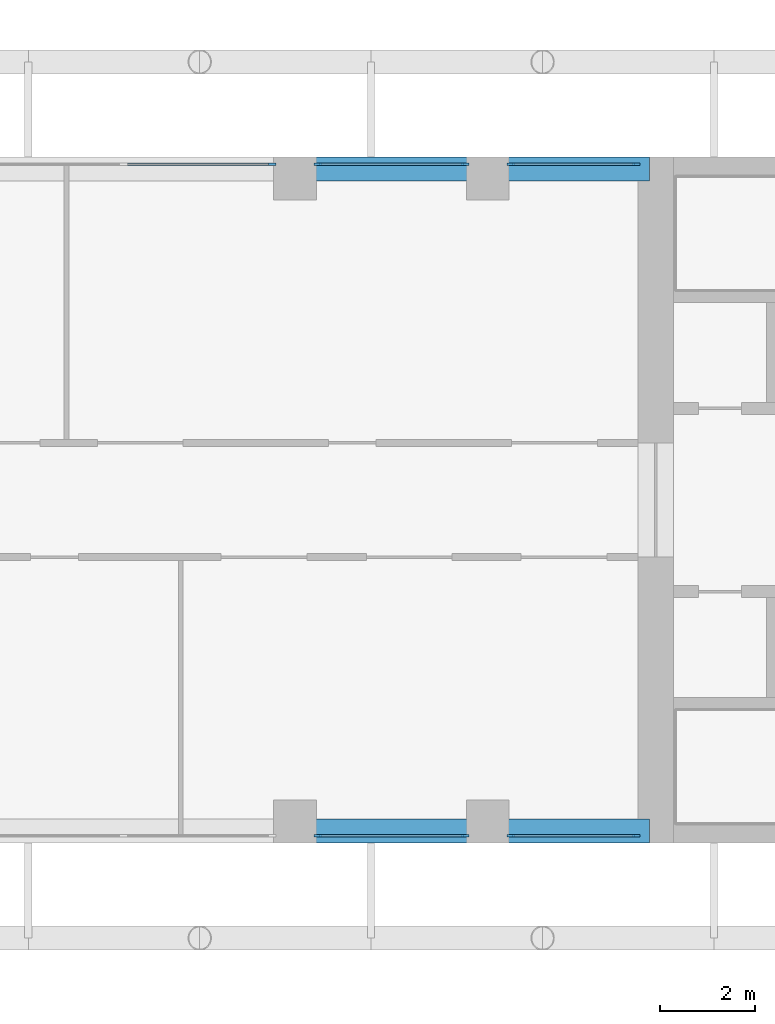
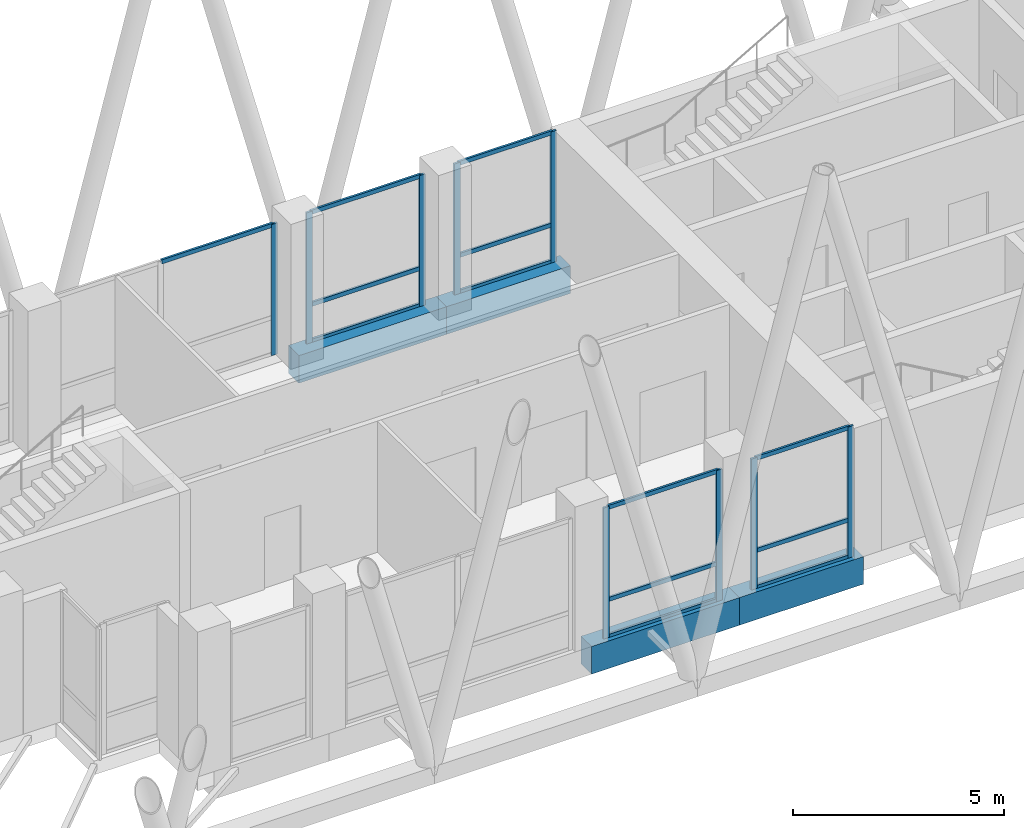
# One storey, part 3 of 19: 22 members, 4 beams, 5 elements without a shape of their own.
"""IFC4 building model written with IfcOpenShell, lengths in metres."""

from ifc_helpers import new_model, si_unit, direction, frame, origin, origin_2d, place, context, subcontext, project, spatial, rectangle, extrude, material, material_profile, profile_set, type_object, element, aggregate, save


model = new_model("IFC4")

# Units and contexts
model_context = context("Model", 3, precision=1e-05, world=origin(), true_north=direction((0.0, 1.0)))
body_context = subcontext(model_context, "Body", "Model", "MODEL_VIEW")
ifc_project = project(units=[si_unit("LENGTHUNIT", "METRE"), si_unit("AREAUNIT", "SQUARE_METRE"), si_unit("VOLUMEUNIT", "CUBIC_METRE"), si_unit("PLANEANGLEUNIT", "RADIAN"), si_unit("MASSUNIT", "GRAM", prefix="KILO")], contexts=[model_context])

# Site, building, storey
site_placement = place(None, origin())
site = spatial("IfcSite", under=ifc_project, at=site_placement, CompositionType="ELEMENT")
building_placement = place(site_placement, origin())
building = spatial("IfcBuilding", under=site, at=building_placement, Name="Fustian Cross Tower", CompositionType="ELEMENT")
storey_placement = place(building_placement, frame((0.0, 0.0, 166.5)))
storey = spatial("IfcBuildingStorey", under=building, at=storey_placement, Name="L52", CompositionType="ELEMENT", Elevation=166.5)

# Curtain wall, members
ifc_material_1 = material(Name="Dark anodised aluminium and double glazing", Category="aluminium")
curtain_wall_type = type_object("IfcCurtainWallType", Name="CW1 LOUNGE CURTAIN WALL", PredefinedType="NOTDEFINED", material=ifc_material_1)
curtain_wall_1_placement = place(storey_placement, origin())
curtain_wall_1 = element("IfcCurtainWall", 1, at=curtain_wall_1_placement, inside=storey, type_object=curtain_wall_type, Name="Curtain wall", PredefinedType="NOTDEFINED")
ifc_material_2 = material(Name="Aluminium alloy 6063", Category="aluminium")
ifc_material_profile_1 = material_profile(ifc_material_2, rectangle(XDim=0.06005859375, YDim=0.159912109375, at=origin_2d()), Name="CW1 MULLION 60X160")
ifc_profile_set_1 = profile_set([ifc_material_profile_1], Name="Aluminium alloy 6063")
member_type_1 = type_object("IfcMemberType", Name="CW1 MULLION 60X160", PredefinedType="MULLION", material=ifc_profile_set_1)
member_1_placement = place(storey_placement, frame((-21.6298828125, 7.050048828125, 0.0), z_axis=(0.0, 0.0, 1.0), x_axis=(0.0, -1.0, 0.0)))
member_1 = element("IfcMember", 2, at=member_1_placement, type_object=member_type_1, Name="CW1 mullion 1", PredefinedType="MULLION", context=body_context, shape_type="SweptSolid", body=[
    extrude(rectangle(XDim=0.06005859375, YDim=0.159912109375, at=origin_2d()), origin(), (0.0, 0.0, 1.0), 3.800048828125),
])
member_2_placement = place(storey_placement, frame((-24.27001953125, 7.050048828125, 0.0), z_axis=(0.0, 0.0, 1.0), x_axis=(0.0, -1.0, 0.0)))
member_2 = element("IfcMember", 3, at=member_2_placement, type_object=member_type_1, Name="CW1 mullion 2", PredefinedType="MULLION", context=body_context, shape_type="SweptSolid", body=[
    extrude(rectangle(XDim=0.06005859375, YDim=0.159912109375, at=origin_2d()), origin(), (0.0, 0.0, 1.0), 3.800048828125),
])

curtain_wall_2_placement = place(storey_placement, origin())
curtain_wall_2 = element("IfcCurtainWall", 4, at=curtain_wall_2_placement, inside=storey, type_object=curtain_wall_type, Name="Curtain wall", PredefinedType="NOTDEFINED")
member_3_placement = place(storey_placement, frame((-25.22998046875, 7.050048828125, 0.0), z_axis=(0.0, 0.0, 1.0), x_axis=(0.0, -1.0, 0.0)))
member_3 = element("IfcMember", 5, at=member_3_placement, type_object=member_type_1, Name="CW1 mullion 1", PredefinedType="MULLION", context=body_context, shape_type="SweptSolid", body=[
    extrude(rectangle(XDim=0.06005859375, YDim=0.159912109375, at=origin_2d()), origin(), (0.0, 0.0, 1.0), 3.800048828125),
])
member_4_placement = place(storey_placement, frame((-28.320068359375, 7.050048828125, 0.0), z_axis=(0.0, 0.0, 1.0), x_axis=(0.0, -1.0, 0.0)))
member_4 = element("IfcMember", 6, at=member_4_placement, type_object=member_type_1, Name="CW1 mullion 2", PredefinedType="MULLION", context=body_context, shape_type="SweptSolid", body=[
    extrude(rectangle(XDim=0.06005859375, YDim=0.159912109375, at=origin_2d()), origin(), (0.0, 0.0, 1.0), 3.800048828125),
])

# Curtain wall, member
curtain_wall_3_placement = place(storey_placement, origin())
curtain_wall_3 = element("IfcCurtainWall", 7, at=curtain_wall_3_placement, inside=storey, type_object=curtain_wall_type, Name="Curtain wall", PredefinedType="NOTDEFINED")
member_5_placement = place(storey_placement, frame((-29.280029296875, 7.050048828125, 0.0), z_axis=(0.0, 0.0, 1.0), x_axis=(0.0, -1.0, 0.0)))
member_5 = element("IfcMember", 8, at=member_5_placement, type_object=member_type_1, Name="CW1 mullion 1", PredefinedType="MULLION", context=body_context, shape_type="SweptSolid", body=[
    extrude(rectangle(XDim=0.06005859375, YDim=0.159912109375, at=origin_2d()), origin(), (0.0, 0.0, 1.0), 3.800048828125),
])

# Curtain wall, members
curtain_wall_4_placement = place(storey_placement, origin())
curtain_wall_4 = element("IfcCurtainWall", 9, at=curtain_wall_4_placement, inside=storey, type_object=curtain_wall_type, Name="Curtain wall", PredefinedType="NOTDEFINED")
member_6_placement = place(storey_placement, frame((-28.320068359375, -7.050048828125, 0.0), z_axis=(0.0, 0.0, 1.0), x_axis=(0.0, 1.0, 0.0)))
member_6 = element("IfcMember", 10, at=member_6_placement, type_object=member_type_1, Name="CW1 mullion 1", PredefinedType="MULLION", context=body_context, shape_type="SweptSolid", body=[
    extrude(rectangle(XDim=0.06005859375, YDim=0.159912109375, at=origin_2d()), origin(), (0.0, 0.0, 1.0), 3.800048828125),
])
member_7_placement = place(storey_placement, frame((-25.22998046875, -7.050048828125, 0.0), z_axis=(0.0, 0.0, 1.0), x_axis=(0.0, 1.0, 0.0)))
member_7 = element("IfcMember", 11, at=member_7_placement, type_object=member_type_1, Name="CW1 mullion 2", PredefinedType="MULLION", context=body_context, shape_type="SweptSolid", body=[
    extrude(rectangle(XDim=0.06005859375, YDim=0.159912109375, at=origin_2d()), origin(), (0.0, 0.0, 1.0), 3.800048828125),
])

curtain_wall_5_placement = place(storey_placement, origin())
curtain_wall_5 = element("IfcCurtainWall", 12, at=curtain_wall_5_placement, inside=storey, type_object=curtain_wall_type, Name="Curtain wall", PredefinedType="NOTDEFINED")
member_8_placement = place(storey_placement, frame((-24.27001953125, -7.050048828125, 0.0), z_axis=(0.0, 0.0, 1.0), x_axis=(0.0, 1.0, 0.0)))
member_8 = element("IfcMember", 13, at=member_8_placement, type_object=member_type_1, Name="CW1 mullion 1", PredefinedType="MULLION", context=body_context, shape_type="SweptSolid", body=[
    extrude(rectangle(XDim=0.06005859375, YDim=0.159912109375, at=origin_2d()), origin(), (0.0, 0.0, 1.0), 3.800048828125),
])
member_9_placement = place(storey_placement, frame((-21.6298828125, -7.050048828125, 0.0), z_axis=(0.0, 0.0, 1.0), x_axis=(0.0, 1.0, 0.0)))
member_9 = element("IfcMember", 14, at=member_9_placement, type_object=member_type_1, Name="CW1 mullion 2", PredefinedType="MULLION", context=body_context, shape_type="SweptSolid", body=[
    extrude(rectangle(XDim=0.06005859375, YDim=0.159912109375, at=origin_2d()), origin(), (0.0, 0.0, 1.0), 3.800048828125),
])

# Member
ifc_material_3 = material(Name="Aluminium alloy 6063", Category="aluminium")
ifc_material_profile_2 = material_profile(ifc_material_3, rectangle(XDim=0.06005859375, YDim=0.1201171875, at=origin_2d()), Name="CW1 TRANSOM 60X120")
ifc_profile_set_2 = profile_set([ifc_material_profile_2], Name="Aluminium alloy 6063")
member_type_2 = type_object("IfcMemberType", Name="CW1 TRANSOM 60X120", PredefinedType="USERDEFINED", material=ifc_profile_set_2)
member_10_placement = place(storey_placement, frame((-21.659912109375, 7.050048828125, 0.030029296875), z_axis=(-1.0, 0.0, 0.0), x_axis=(0.0, -1.0, 0.0)))
member_10 = element("IfcMember", 15, at=member_10_placement, type_object=member_type_2, Name="CW1 transom 1.1", ObjectType="TRANSOM", PredefinedType="USERDEFINED", context=body_context, shape_type="SweptSolid", body=[
    extrude(rectangle(XDim=0.06005859375, YDim=0.1201171875, at=origin_2d()), origin(), (0.0, 0.0, 1.0), 2.580078125),
])

member_11_placement = place(storey_placement, frame((-21.659912109375, 7.050048828125, 1.10009765625), z_axis=(-1.0, 0.0, 0.0), x_axis=(0.0, -1.0, 0.0)))
member_11 = element("IfcMember", 16, at=member_11_placement, type_object=member_type_2, Name="CW1 transom 1.2", ObjectType="TRANSOM", PredefinedType="USERDEFINED", context=body_context, shape_type="SweptSolid", body=[
    extrude(rectangle(XDim=0.06005859375, YDim=0.1201171875, at=origin_2d()), origin(), (0.0, 0.0, 1.0), 2.580078125),
])

member_12_placement = place(storey_placement, frame((-21.659912109375, 7.050048828125, 3.77001953125), z_axis=(-1.0, 0.0, 0.0), x_axis=(0.0, -1.0, 0.0)))
member_12 = element("IfcMember", 17, at=member_12_placement, type_object=member_type_2, Name="CW1 transom 1.3", ObjectType="TRANSOM", PredefinedType="USERDEFINED", context=body_context, shape_type="SweptSolid", body=[
    extrude(rectangle(XDim=0.06005859375, YDim=0.1201171875, at=origin_2d()), origin(), (0.0, 0.0, 1.0), 2.580078125),
])

aggregate(curtain_wall_1, [member_1, member_2, member_10, member_11, member_12])

member_13_placement = place(storey_placement, frame((-25.260009765625, 7.050048828125, 0.030029296875), z_axis=(-1.0, 0.0, 0.0), x_axis=(0.0, -1.0, 0.0)))
member_13 = element("IfcMember", 18, at=member_13_placement, type_object=member_type_2, Name="CW1 transom 1.1", ObjectType="TRANSOM", PredefinedType="USERDEFINED", context=body_context, shape_type="SweptSolid", body=[
    extrude(rectangle(XDim=0.06005859375, YDim=0.1201171875, at=origin_2d()), origin(), (0.0, 0.0, 1.0), 3.030029296875),
])

member_14_placement = place(storey_placement, frame((-25.260009765625, 7.050048828125, 1.10009765625), z_axis=(-1.0, 0.0, 0.0), x_axis=(0.0, -1.0, 0.0)))
member_14 = element("IfcMember", 19, at=member_14_placement, type_object=member_type_2, Name="CW1 transom 1.2", ObjectType="TRANSOM", PredefinedType="USERDEFINED", context=body_context, shape_type="SweptSolid", body=[
    extrude(rectangle(XDim=0.06005859375, YDim=0.1201171875, at=origin_2d()), origin(), (0.0, 0.0, 1.0), 3.030029296875),
])

member_15_placement = place(storey_placement, frame((-25.260009765625, 7.050048828125, 3.77001953125), z_axis=(-1.0, 0.0, 0.0), x_axis=(0.0, -1.0, 0.0)))
member_15 = element("IfcMember", 20, at=member_15_placement, type_object=member_type_2, Name="CW1 transom 1.3", ObjectType="TRANSOM", PredefinedType="USERDEFINED", context=body_context, shape_type="SweptSolid", body=[
    extrude(rectangle(XDim=0.06005859375, YDim=0.1201171875, at=origin_2d()), origin(), (0.0, 0.0, 1.0), 3.030029296875),
])

aggregate(curtain_wall_2, [member_3, member_4, member_13, member_14, member_15])

member_16_placement = place(storey_placement, frame((-29.31005859375, 7.050048828125, 3.77001953125), z_axis=(-1.0, 0.0, 0.0), x_axis=(0.0, -1.0, 0.0)))
member_16 = element("IfcMember", 21, at=member_16_placement, type_object=member_type_2, Name="CW1 transom 1.3", ObjectType="TRANSOM", PredefinedType="USERDEFINED", context=body_context, shape_type="SweptSolid", body=[
    extrude(rectangle(XDim=0.06005859375, YDim=0.1201171875, at=origin_2d()), origin(), (0.0, 0.0, 1.0), 3.06005859375),
])

aggregate(curtain_wall_3, [member_5, member_16])

member_17_placement = place(storey_placement, frame((-28.2900390625, -7.050048828125, 0.030029296875), z_axis=(1.0, 0.0, 0.0), x_axis=(0.0, 1.0, 0.0)))
member_17 = element("IfcMember", 22, at=member_17_placement, type_object=member_type_2, Name="CW1 transom 1.1", ObjectType="TRANSOM", PredefinedType="USERDEFINED", context=body_context, shape_type="SweptSolid", body=[
    extrude(rectangle(XDim=0.06005859375, YDim=0.1201171875, at=origin_2d()), origin(), (0.0, 0.0, 1.0), 3.030029296875),
])

member_18_placement = place(storey_placement, frame((-28.2900390625, -7.050048828125, 1.10009765625), z_axis=(1.0, 0.0, 0.0), x_axis=(0.0, 1.0, 0.0)))
member_18 = element("IfcMember", 23, at=member_18_placement, type_object=member_type_2, Name="CW1 transom 1.2", ObjectType="TRANSOM", PredefinedType="USERDEFINED", context=body_context, shape_type="SweptSolid", body=[
    extrude(rectangle(XDim=0.06005859375, YDim=0.1201171875, at=origin_2d()), origin(), (0.0, 0.0, 1.0), 3.030029296875),
])

member_19_placement = place(storey_placement, frame((-28.2900390625, -7.050048828125, 3.77001953125), z_axis=(1.0, 0.0, 0.0), x_axis=(0.0, 1.0, 0.0)))
member_19 = element("IfcMember", 24, at=member_19_placement, type_object=member_type_2, Name="CW1 transom 1.3", ObjectType="TRANSOM", PredefinedType="USERDEFINED", context=body_context, shape_type="SweptSolid", body=[
    extrude(rectangle(XDim=0.06005859375, YDim=0.1201171875, at=origin_2d()), origin(), (0.0, 0.0, 1.0), 3.030029296875),
])

aggregate(curtain_wall_4, [member_6, member_7, member_17, member_18, member_19])

member_20_placement = place(storey_placement, frame((-24.239990234375, -7.050048828125, 0.030029296875), z_axis=(1.0, 0.0, 0.0), x_axis=(0.0, 1.0, 0.0)))
member_20 = element("IfcMember", 25, at=member_20_placement, type_object=member_type_2, Name="CW1 transom 1.1", ObjectType="TRANSOM", PredefinedType="USERDEFINED", context=body_context, shape_type="SweptSolid", body=[
    extrude(rectangle(XDim=0.06005859375, YDim=0.1201171875, at=origin_2d()), origin(), (0.0, 0.0, 1.0), 2.580078125),
])

member_21_placement = place(storey_placement, frame((-24.239990234375, -7.050048828125, 1.10009765625), z_axis=(1.0, 0.0, 0.0), x_axis=(0.0, 1.0, 0.0)))
member_21 = element("IfcMember", 26, at=member_21_placement, type_object=member_type_2, Name="CW1 transom 1.2", ObjectType="TRANSOM", PredefinedType="USERDEFINED", context=body_context, shape_type="SweptSolid", body=[
    extrude(rectangle(XDim=0.06005859375, YDim=0.1201171875, at=origin_2d()), origin(), (0.0, 0.0, 1.0), 2.580078125),
])

member_22_placement = place(storey_placement, frame((-24.239990234375, -7.050048828125, 3.77001953125), z_axis=(1.0, 0.0, 0.0), x_axis=(0.0, 1.0, 0.0)))
member_22 = element("IfcMember", 27, at=member_22_placement, type_object=member_type_2, Name="CW1 transom 1.3", ObjectType="TRANSOM", PredefinedType="USERDEFINED", context=body_context, shape_type="SweptSolid", body=[
    extrude(rectangle(XDim=0.06005859375, YDim=0.1201171875, at=origin_2d()), origin(), (0.0, 0.0, 1.0), 2.580078125),
])

aggregate(curtain_wall_5, [member_8, member_9, member_20, member_21, member_22])

# Beams
ifc_material_4 = material(Name="Concrete C50/60", Category="concrete")
ifc_material_profile_3 = material_profile(ifc_material_4, rectangle(XDim=0.5, YDim=0.800048828125, at=origin_2d()), Name="RC 500x800")
ifc_profile_set_3 = profile_set([ifc_material_profile_3], Name="Concrete C50/60")
beam_type = type_object("IfcBeamType", Name="EDGE BEAM RC 500x800 C50/60", PredefinedType="SPANDREL", material=ifc_profile_set_3)
beam_1_placement = place(storey_placement, frame((-21.35009765625, 6.949951171875, -0.39990234375), z_axis=(-1.0, 0.0, 0.0), x_axis=(0.0, -1.0, 0.0)))
element("IfcBeam", 28, at=beam_1_placement, inside=storey, type_object=beam_type, Name="EDGE BEAM L52-12", PredefinedType="SPANDREL", context=body_context, shape_type="SweptSolid", body=[
    extrude(rectangle(XDim=0.5, YDim=0.800048828125, at=origin_2d()), origin(), (0.0, 0.0, 1.0), 3.39990234375),
])
for number, where, z_axis, x_axis, name in (
    (29, (-24.75, 6.949951171875, -0.39990234375), (-1.0, 0.0, 0.0), (0.0, -1.0, 0.0), "EDGE BEAM L52-13"),
    (30, (-28.800048828125, -6.949951171875, -0.39990234375), (1.0, 0.0, 0.0), (0.0, 1.0, 0.0), "EDGE BEAM L52-19"),
):
    element("IfcBeam", number, at=place(storey_placement, frame(where, z_axis=z_axis, x_axis=x_axis)), inside=storey, type_object=beam_type, Name=name, PredefinedType="SPANDREL", context=body_context, shape_type="SweptSolid", body=[
        extrude(rectangle(XDim=0.5, YDim=0.800048828125, at=origin_2d()), origin(), (0.0, 0.0, 1.0), 4.050048828125),
    ])
beam_2_placement = place(storey_placement, frame((-24.75, -6.949951171875, -0.39990234375), z_axis=(1.0, 0.0, 0.0), x_axis=(0.0, 1.0, 0.0)))
element("IfcBeam", 31, at=beam_2_placement, inside=storey, type_object=beam_type, Name="EDGE BEAM L52-20", PredefinedType="SPANDREL", context=body_context, shape_type="SweptSolid", body=[
    extrude(rectangle(XDim=0.5, YDim=0.800048828125, at=origin_2d()), origin(), (0.0, 0.0, 1.0), 3.39990234375),
])

save(model, "model.ifc")
